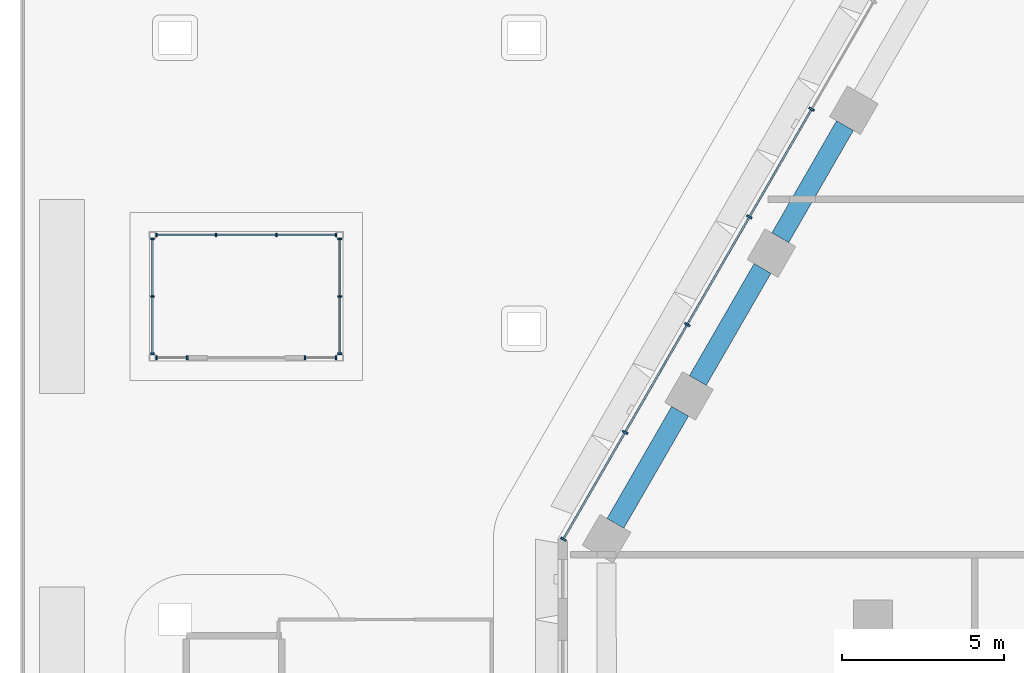
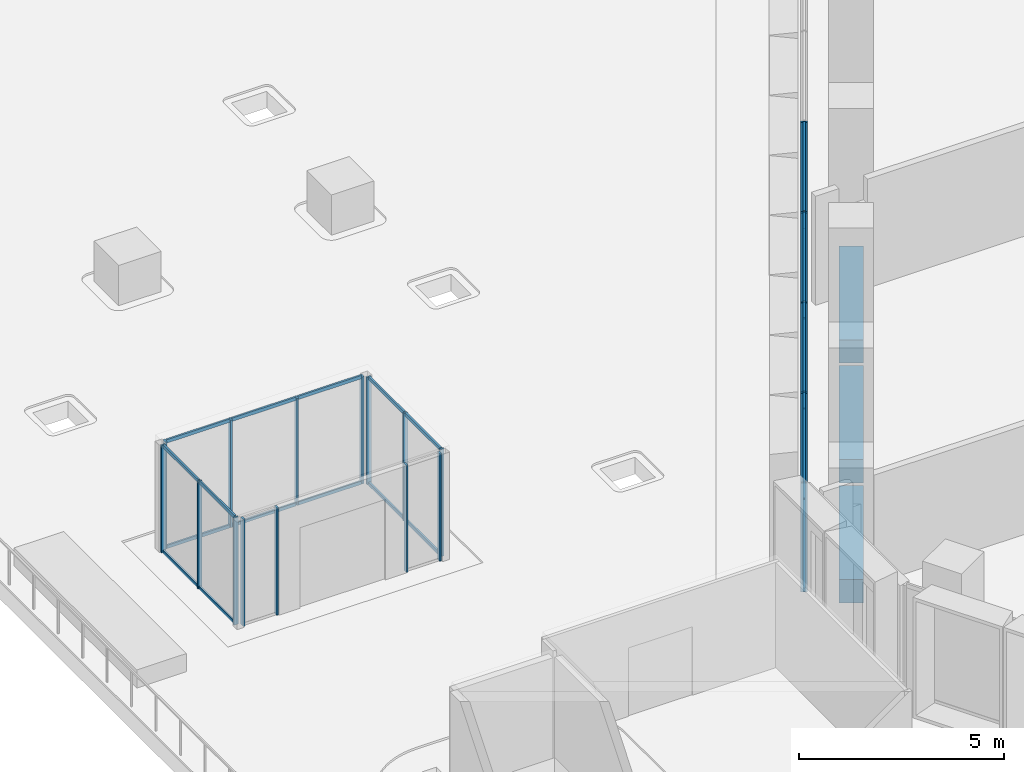
# One storey, part 8 of 38: 41 members, 3 beams, 6 elements without a shape of their own.
"""IFC4 building model written with IfcOpenShell, lengths in metres."""

import ifcopenshell
import ifcopenshell.guid

model = None  # the IFC model being written
_history = None  # IfcOwnerHistory: only IFC2X3 demands one
_inside = {}  # id of a spatial element -> (the spatial element, [elements in it])
_under = {}  # id of a project, library or spatial element -> (it, [spatial elements below it])
_declared = {}  # id of a project -> (the project, [libraries it declares])
_typed = {}  # id of a type object -> (the type object, [elements of that type])
_made_of = {}  # id of a material, layer set ... -> (it, [elements and type objects made of it])


def new_model(schema):
    """Start an empty IFC model of exactly this schema.

    Asked for "IFC4X3", IfcOpenShell would pick the latest addendum, in which some entities
    have other attributes; the version numbers below select the first issue.
    IFC2X3 requires an IfcOwnerHistory on every rooted entity: one is made here for all.
    """
    global model, _history
    if schema == "IFC4X3":
        model = ifcopenshell.file(schema_version=(4, 3, 0, 0))
    else:
        model = ifcopenshell.file(schema=schema)
    _inside.clear()
    _under.clear()
    _declared.clear()
    _typed.clear()
    _made_of.clear()
    _history = None
    if model.schema == "IFC2X3":
        org = make("IfcOrganization", Name="unknown")
        user = make(
            "IfcPersonAndOrganization",
            ThePerson=make("IfcPerson", FamilyName="unknown"),
            TheOrganization=org,
        )
        app = make(
            "IfcApplication",
            ApplicationDeveloper=org,
            Version="unknown",
            ApplicationFullName="unknown",
            ApplicationIdentifier="unknown",
        )
        _history = make(
            "IfcOwnerHistory",
            OwningUser=user,
            OwningApplication=app,
            ChangeAction="ADDED",
            CreationDate=0,
        )
    return model


def make(cls, **values):
    """One entity of the class cls with the attributes given. An attribute that is None is left unset."""
    return model.create_entity(
        cls, **{name: value for name, value in values.items() if value is not None}
    )


def rooted(cls, **values):
    """An entity with a GlobalId (a new one), such as an element, a storey or a relation."""
    return make(cls, GlobalId=ifcopenshell.guid.new(), OwnerHistory=_history, **values)


def si_unit(unit_type, name, prefix=None):
    """IfcSIUnit, for example si_unit("LENGTHUNIT", "METRE", prefix="MILLI")."""
    return make("IfcSIUnit", UnitType=unit_type, Prefix=prefix, Name=name)


def assignment(units):
    """IfcUnitAssignment: the units of a project."""
    return None if units is None else make("IfcUnitAssignment", Units=units)


def point(xyz):
    """IfcCartesianPoint."""
    return None if xyz is None else make("IfcCartesianPoint", Coordinates=xyz)


def direction(xyz):
    """IfcDirection."""
    return None if xyz is None else make("IfcDirection", DirectionRatios=xyz)


def frame(location, z_axis=None, x_axis=None):
    """IfcAxis2Placement3D, a coordinate frame: its origin and axes. An axis left out is left unset."""
    return make(
        "IfcAxis2Placement3D",
        Location=point(location),
        Axis=direction(z_axis),
        RefDirection=direction(x_axis),
    )


def frame_2d(location, x_axis=None):
    """IfcAxis2Placement2D, a coordinate frame in the plane: its origin and x axis."""
    return make(
        "IfcAxis2Placement2D", Location=point(location), RefDirection=direction(x_axis)
    )


def origin():
    """The frame at (0, 0, 0) with its axes left unset."""
    return frame((0.0, 0.0, 0.0))


def origin_2d():
    """The frame at (0, 0) in the plane with its x axis left unset."""
    return frame_2d((0.0, 0.0))


def place(relative_to, where):
    """IfcLocalPlacement: puts the frame where relative to a parent placement (None: the world)."""
    return make(
        "IfcLocalPlacement", PlacementRelTo=relative_to, RelativePlacement=where
    )


def context(
    kind, dimensions, precision=None, world=None, true_north=None, identifier=None
):
    """IfcGeometricRepresentationContext, for example the 3D "Model" context."""
    return make(
        "IfcGeometricRepresentationContext",
        ContextIdentifier=identifier,
        ContextType=kind,
        CoordinateSpaceDimension=dimensions,
        Precision=precision,
        WorldCoordinateSystem=world,
        TrueNorth=true_north,
    )


def subcontext(parent, identifier, kind, view, scale=None):
    """IfcGeometricRepresentationSubContext, for example "Body" below "Model"."""
    return make(
        "IfcGeometricRepresentationSubContext",
        ContextIdentifier=identifier,
        ContextType=kind,
        ParentContext=parent,
        TargetScale=scale,
        TargetView=view,
    )


def project(units=None, contexts=None):
    """IfcProject with its units and contexts."""
    return rooted(
        "IfcProject",
        Name="project",
        RepresentationContexts=contexts,
        UnitsInContext=assignment(units),
    )


def spatial(cls, under=None, at=None, **own):
    """A site, building, storey or space (cls), placed at a placement, below another one or the project."""
    s = rooted(cls, ObjectPlacement=at, **own)
    if under is not None:
        _under.setdefault(under.id(), (under, []))[1].append(s)
    return s


def profile(cls, at=None, kind="AREA", **sizes):
    """A parametric profile (cls). Its sizes go by their IFC names, for example OverallWidth=200.0."""
    return make(cls, ProfileType=kind, Position=at, **sizes)


def rectangle(**sizes):
    """IfcRectangleProfileDef."""
    return profile("IfcRectangleProfileDef", **sizes)


def hollow_rectangle(**sizes):
    """IfcRectangleHollowProfileDef."""
    return profile("IfcRectangleHollowProfileDef", **sizes)


def extrude(swept, where, along, depth):
    """IfcExtrudedAreaSolid: the profile swept, set in the frame where, extruded along a direction by depth."""
    return make(
        "IfcExtrudedAreaSolid",
        SweptArea=swept,
        Position=where,
        ExtrudedDirection=direction(along),
        Depth=depth,
    )


def shape(context_of_items, identifier, shape_type, items):
    """IfcShapeRepresentation: the items that make up one representation, for example the "Body"."""
    return make(
        "IfcShapeRepresentation",
        ContextOfItems=context_of_items,
        RepresentationIdentifier=identifier,
        RepresentationType=shape_type,
        Items=items,
    )


def material(Name=None, Category=None):
    """IfcMaterial."""
    return make("IfcMaterial", Name=Name, Category=Category)


def material_profile(
    of_material, cross_section, Name=None, Category=None, Priority=None
):
    """IfcMaterialProfile: a cross section and its material."""
    return make(
        "IfcMaterialProfile",
        Name=Name,
        Material=of_material,
        Profile=cross_section,
        Priority=Priority,
        Category=Category,
    )


def profile_set(profiles, Name=None, composite=None):
    """IfcMaterialProfileSet."""
    return make(
        "IfcMaterialProfileSet",
        Name=Name,
        MaterialProfiles=profiles,
        CompositeProfile=composite,
    )


def made_of(thing, what):
    """Note that an element or type object is made of a material, layer set ...; save() writes the relation."""
    if what is not None:
        _made_of.setdefault(what.id(), (what, []))[1].append(thing)
    return thing


def type_object(cls, material=None, **own):
    """A type object (cls), such as IfcWallType, which elements share."""
    return made_of(rooted(cls, **own), material)


def element(
    cls,
    number,
    at=None,
    inside=None,
    cuts=None,
    type_object=None,
    material=None,
    context=None,
    identifier="Body",
    shape_type=None,
    held_by="IfcProductDefinitionShape",
    body=None,
    shapes=None,
    **own,
):
    """One element of the class cls, such as IfcWall. Its Tag is "e" and its number.

    at: its placement. inside: the storey or other place that contains it. cuts: it is an
    opening in that element (IfcRelVoidsElement). A single representation is given by context,
    identifier, shape_type and body (its items); several are given by shapes. held_by: the class
    of the entity that holds the representations. save() writes the other relations.
    """
    e = rooted(cls, Tag="e%d" % number, ObjectPlacement=at, **own)
    if body is not None:
        shapes = [shape(context, identifier, shape_type, body)]
    if shapes is not None:
        e.Representation = make(held_by, Representations=shapes)
    if inside is not None:
        _inside.setdefault(inside.id(), (inside, []))[1].append(e)
    if cuts is not None:
        rooted(
            "IfcRelVoidsElement", RelatingBuildingElement=cuts, RelatedOpeningElement=e
        )
    if type_object is not None:
        _typed.setdefault(type_object.id(), (type_object, []))[1].append(e)
    return made_of(e, material)


def aggregate(whole, parts):
    """IfcRelAggregates: a whole, such as a stair, and the parts it consists of."""
    return rooted("IfcRelAggregates", RelatingObject=whole, RelatedObjects=parts)


def save(model, path):
    """Write the relations noted so far, then the file.

    IfcRelAggregates (storeys below a building ...), IfcRelContainedInSpatialStructure (elements
    in a storey), IfcRelDefinesByType, IfcRelAssociatesMaterial and IfcRelDeclares: one each for
    every whole, place, type object, material and project.
    """
    for whole, parts in _under.values():
        aggregate(whole, parts)
    for where, things in _inside.values():
        rooted(
            "IfcRelContainedInSpatialStructure",
            RelatedElements=things,
            RelatingStructure=where,
        )
    for kind, things in _typed.values():
        rooted("IfcRelDefinesByType", RelatedObjects=things, RelatingType=kind)
    for what, things in _made_of.values():
        rooted("IfcRelAssociatesMaterial", RelatedObjects=things, RelatingMaterial=what)
    for by, libraries in _declared.values():
        rooted("IfcRelDeclares", RelatingContext=by, RelatedDefinitions=libraries)
    model.write(path)


model = new_model("IFC4")

# Units and contexts
model_context = context("Model", 3, precision=1e-05, world=origin(), true_north=direction((0.0, 1.0)))
body_context = subcontext(model_context, "Body", "Model", "MODEL_VIEW")
ifc_project = project(units=[si_unit("LENGTHUNIT", "METRE"), si_unit("AREAUNIT", "SQUARE_METRE"), si_unit("VOLUMEUNIT", "CUBIC_METRE"), si_unit("PLANEANGLEUNIT", "RADIAN"), si_unit("MASSUNIT", "GRAM", prefix="KILO")], contexts=[model_context])

# Site, building, storey
site_placement = place(None, origin())
site = spatial("IfcSite", under=ifc_project, at=site_placement, CompositionType="ELEMENT")
building_placement = place(site_placement, origin())
building = spatial("IfcBuilding", under=site, at=building_placement, Name="Beryl Residences", CompositionType="ELEMENT")
storey_placement = place(building_placement, frame((0.0, 0.0, 9.0)))
storey = spatial("IfcBuildingStorey", under=building, at=storey_placement, Name="L02", CompositionType="ELEMENT", Elevation=9.0)

# Curtain wall, members
ifc_material_1 = material(Name="Aluminium and clear glass", Category="aluminium")
curtain_wall_type_1 = type_object("IfcCurtainWallType", Name="CW2 amenity glazing glazed wall", PredefinedType="NOTDEFINED", material=ifc_material_1)
curtain_wall_1_placement = place(storey_placement, origin())
curtain_wall_1 = element("IfcCurtainWall", 1, at=curtain_wall_1_placement, inside=storey, type_object=curtain_wall_type_1, Name="CW2 L02 NW", PredefinedType="NOTDEFINED")
ifc_material_2 = material(Name="Aluminium", Category="aluminium")
ifc_material_profile_1 = material_profile(ifc_material_2, rectangle(XDim=0.06005859375, YDim=0.179931640625, at=origin_2d()))
ifc_profile_set_1 = profile_set([ifc_material_profile_1], Name="Aluminium")
member_type_1 = type_object("IfcMemberType", Name="CW2-M mullion 60 x 180 mm", PredefinedType="MULLION", material=ifc_profile_set_1)
member_1_placement = place(storey_placement, frame((-23.5029296875, 15.79150390625, 0.0), z_axis=(0.0, 0.0, 1.0), x_axis=(-0.500011643322, -0.866018681405, 0.0)))
member_1 = element("IfcMember", 2, at=member_1_placement, type_object=member_type_1, Name="CW2 mullion 4", PredefinedType="MULLION", context=body_context, shape_type="SweptSolid", body=[
    extrude(rectangle(XDim=0.06005859375, YDim=0.179931640625, at=origin_2d()), origin(), (0.0, 0.0, 1.0), 3.25),
])
member_2_placement = place(storey_placement, frame((-25.42724609375, 12.45849609375, 0.0), z_axis=(0.0, 0.0, 1.0), x_axis=(-0.500011643322, -0.866018681405, 0.0)))
member_2 = element("IfcMember", 3, at=member_2_placement, type_object=member_type_1, Name="CW2 mullion 5", PredefinedType="MULLION", context=body_context, shape_type="SweptSolid", body=[
    extrude(rectangle(XDim=0.06005859375, YDim=0.179931640625, at=origin_2d()), origin(), (0.0, 0.0, 1.0), 3.25),
])
member_3_placement = place(storey_placement, frame((-27.351318359375, 9.125732421875, 0.0), z_axis=(0.0, 0.0, 1.0), x_axis=(-0.500011643322, -0.866018681405, 0.0)))
member_3 = element("IfcMember", 4, at=member_3_placement, type_object=member_type_1, Name="CW2 mullion 6", PredefinedType="MULLION", context=body_context, shape_type="SweptSolid", body=[
    extrude(rectangle(XDim=0.06005859375, YDim=0.179931640625, at=origin_2d()), origin(), (0.0, 0.0, 1.0), 3.25),
])
member_4_placement = place(storey_placement, frame((-29.275634765625, 5.79296875, 0.0), z_axis=(0.0, 0.0, 1.0), x_axis=(-0.500011643322, -0.866018681405, 0.0)))
member_4 = element("IfcMember", 5, at=member_4_placement, type_object=member_type_1, Name="CW2 mullion 7", PredefinedType="MULLION", context=body_context, shape_type="SweptSolid", body=[
    extrude(rectangle(XDim=0.06005859375, YDim=0.179931640625, at=origin_2d()), origin(), (0.0, 0.0, 1.0), 3.25),
])
member_5_placement = place(storey_placement, frame((-31.18505859375, 2.486083984375, 0.0), z_axis=(0.0, 0.0, 1.0), x_axis=(-0.500011643322, -0.866018681405, 0.0)))
member_5 = element("IfcMember", 6, at=member_5_placement, type_object=member_type_1, Name="CW2 mullion 8", PredefinedType="MULLION", context=body_context, shape_type="SweptSolid", body=[
    extrude(rectangle(XDim=0.06005859375, YDim=0.179931640625, at=origin_2d()), origin(), (0.0, 0.0, 1.0), 3.25),
])
ifc_material_3 = material(Name="Aluminium", Category="aluminium")
ifc_material_profile_2 = material_profile(ifc_material_3, hollow_rectangle(XDim=0.06005859375, YDim=0.1201171875, WallThickness=0.00390625, at=origin_2d()))
ifc_profile_set_2 = profile_set([ifc_material_profile_2], Name="Aluminium")
member_type_2 = type_object("IfcMemberType", Name="CW2-T transom 60 x 120 mm", PredefinedType="USERDEFINED", material=ifc_profile_set_2)
member_6_placement = place(storey_placement, frame((-23.517822265625, 15.765380859375, 0.030029296875), z_axis=(-0.500027408906, -0.866009578667, 0.0), x_axis=(0.866009578667, -0.500027408906, 0.0)))
member_6 = element("IfcMember", 7, at=member_6_placement, type_object=member_type_2, Name="CW2 transom 4.1", ObjectType="TRANSOM", PredefinedType="USERDEFINED", context=body_context, shape_type="SweptSolid", body=[
    extrude(hollow_rectangle(XDim=0.06005859375, YDim=0.1201171875, WallThickness=0.00390625, at=origin_2d()), origin(), (0.0, 0.0, 1.0), 3.788330078125),
])
member_7_placement = place(storey_placement, frame((-23.517822265625, 15.765380859375, 3.219970703125), z_axis=(-0.500027408906, -0.866009578667, 0.0), x_axis=(0.866009578667, -0.500027408906, 0.0)))
member_7 = element("IfcMember", 8, at=member_7_placement, type_object=member_type_2, Name="CW2 transom 4.2", ObjectType="TRANSOM", PredefinedType="USERDEFINED", context=body_context, shape_type="SweptSolid", body=[
    extrude(hollow_rectangle(XDim=0.06005859375, YDim=0.1201171875, WallThickness=0.00390625, at=origin_2d()), origin(), (0.0, 0.0, 1.0), 3.788330078125),
])
member_8_placement = place(storey_placement, frame((-25.442138671875, 12.4326171875, 0.030029296875), z_axis=(-0.499999503755, -0.866025690291, 0.0), x_axis=(0.866025690291, -0.499999503755, 0.0)))
member_8 = element("IfcMember", 9, at=member_8_placement, type_object=member_type_2, Name="CW2 transom 5.1", ObjectType="TRANSOM", PredefinedType="USERDEFINED", context=body_context, shape_type="SweptSolid", body=[
    extrude(hollow_rectangle(XDim=0.06005859375, YDim=0.1201171875, WallThickness=0.00390625, at=origin_2d()), origin(), (0.0, 0.0, 1.0), 3.78857421875),
])
member_9_placement = place(storey_placement, frame((-25.442138671875, 12.4326171875, 3.219970703125), z_axis=(-0.499999503755, -0.866025690291, 0.0), x_axis=(0.866025690291, -0.499999503755, 0.0)))
member_9 = element("IfcMember", 10, at=member_9_placement, type_object=member_type_2, Name="CW2 transom 5.2", ObjectType="TRANSOM", PredefinedType="USERDEFINED", context=body_context, shape_type="SweptSolid", body=[
    extrude(hollow_rectangle(XDim=0.06005859375, YDim=0.1201171875, WallThickness=0.00390625, at=origin_2d()), origin(), (0.0, 0.0, 1.0), 3.78857421875),
])
member_10_placement = place(storey_placement, frame((-27.366455078125, 9.099853515625, 0.030029296875), z_axis=(-0.499999503755, -0.866025690291, 0.0), x_axis=(0.866025690291, -0.499999503755, 0.0)))
member_10 = element("IfcMember", 11, at=member_10_placement, type_object=member_type_2, Name="CW2 transom 6.1", ObjectType="TRANSOM", PredefinedType="USERDEFINED", context=body_context, shape_type="SweptSolid", body=[
    extrude(hollow_rectangle(XDim=0.06005859375, YDim=0.1201171875, WallThickness=0.00390625, at=origin_2d()), origin(), (0.0, 0.0, 1.0), 3.78857421875),
])
member_11_placement = place(storey_placement, frame((-27.366455078125, 9.099853515625, 3.219970703125), z_axis=(-0.499999503755, -0.866025690291, 0.0), x_axis=(0.866025690291, -0.499999503755, 0.0)))
member_11 = element("IfcMember", 12, at=member_11_placement, type_object=member_type_2, Name="CW2 transom 6.2", ObjectType="TRANSOM", PredefinedType="USERDEFINED", context=body_context, shape_type="SweptSolid", body=[
    extrude(hollow_rectangle(XDim=0.06005859375, YDim=0.1201171875, WallThickness=0.00390625, at=origin_2d()), origin(), (0.0, 0.0, 1.0), 3.78857421875),
])
member_12_placement = place(storey_placement, frame((-29.290771484375, 5.766845703125, 0.030029296875), z_axis=(-0.499988609959, -0.866031979728, 0.0), x_axis=(0.866031979728, -0.499988609959, 0.0)))
member_12 = element("IfcMember", 13, at=member_12_placement, type_object=member_type_2, Name="CW2 transom 7.1", ObjectType="TRANSOM", PredefinedType="USERDEFINED", context=body_context, shape_type="SweptSolid", body=[
    extrude(hollow_rectangle(XDim=0.06005859375, YDim=0.1201171875, WallThickness=0.00390625, at=origin_2d()), origin(), (0.0, 0.0, 1.0), 3.75830078125),
])
member_13_placement = place(storey_placement, frame((-29.290771484375, 5.766845703125, 3.219970703125), z_axis=(-0.499988609959, -0.866031979728, 0.0), x_axis=(0.866031979728, -0.499988609959, 0.0)))
member_13 = element("IfcMember", 14, at=member_13_placement, type_object=member_type_2, Name="CW2 transom 7.2", ObjectType="TRANSOM", PredefinedType="USERDEFINED", context=body_context, shape_type="SweptSolid", body=[
    extrude(hollow_rectangle(XDim=0.06005859375, YDim=0.1201171875, WallThickness=0.00390625, at=origin_2d()), origin(), (0.0, 0.0, 1.0), 3.75830078125),
])
aggregate(curtain_wall_1, [member_1, member_2, member_3, member_4, member_5, member_6, member_7, member_8, member_9, member_10, member_11, member_12, member_13])

ifc_material_4 = material(Name="Aluminium and clear glass", Category="aluminium")
curtain_wall_type_2 = type_object("IfcCurtainWallType", Name="CW6 garden pavilion glazing glazed wall", PredefinedType="NOTDEFINED", material=ifc_material_4)
curtain_wall_2_placement = place(storey_placement, origin())
curtain_wall_2 = element("IfcCurtainWall", 15, at=curtain_wall_2_placement, inside=storey, type_object=curtain_wall_type_2, Name="CW6 pavilion 1 s0", PredefinedType="NOTDEFINED")
ifc_material_5 = material(Name="Aluminium", Category="aluminium")
ifc_material_profile_3 = material_profile(ifc_material_5, rectangle(XDim=0.050048828125, YDim=0.1201171875, at=origin_2d()))
ifc_profile_set_3 = profile_set([ifc_material_profile_3], Name="Aluminium")
member_type_3 = type_object("IfcMemberType", Name="CW6-M mullion 50 x 120 mm", PredefinedType="MULLION", material=ifc_profile_set_3)
member_14_placement = place(storey_placement, frame((-43.77490234375, 8.10009765625, 0.0), z_axis=(0.0, 0.0, 1.0), x_axis=(1.0, 0.0, 0.0)))
member_14 = element("IfcMember", 16, at=member_14_placement, type_object=member_type_3, Name="CW6 mullion 1", PredefinedType="MULLION", context=body_context, shape_type="SweptSolid", body=[
    extrude(rectangle(XDim=0.050048828125, YDim=0.1201171875, at=origin_2d()), origin(), (0.0, 0.0, 1.0), 3.199951171875),
])
member_15_placement = place(storey_placement, frame((-42.824951171875, 8.10009765625, 0.0), z_axis=(0.0, 0.0, 1.0), x_axis=(1.0, 0.0, 0.0)))
member_15 = element("IfcMember", 17, at=member_15_placement, type_object=member_type_3, Name="CW6 mullion 2", PredefinedType="MULLION", context=body_context, shape_type="SweptSolid", body=[
    extrude(rectangle(XDim=0.050048828125, YDim=0.1201171875, at=origin_2d()), origin(), (0.0, 0.0, 1.0), 3.199951171875),
])
aggregate(curtain_wall_2, [member_14, member_15])

curtain_wall_3_placement = place(storey_placement, origin())
curtain_wall_3 = element("IfcCurtainWall", 18, at=curtain_wall_3_placement, inside=storey, type_object=curtain_wall_type_2, Name="CW6 pavilion 1 s2", PredefinedType="NOTDEFINED")
member_16_placement = place(storey_placement, frame((-39.175048828125, 8.10009765625, 0.0), z_axis=(0.0, 0.0, 1.0), x_axis=(1.0, 0.0, 0.0)))
member_16 = element("IfcMember", 19, at=member_16_placement, type_object=member_type_3, Name="CW6 mullion 1", PredefinedType="MULLION", context=body_context, shape_type="SweptSolid", body=[
    extrude(rectangle(XDim=0.050048828125, YDim=0.1201171875, at=origin_2d()), origin(), (0.0, 0.0, 1.0), 3.199951171875),
])
member_17_placement = place(storey_placement, frame((-38.22509765625, 8.10009765625, 0.0), z_axis=(0.0, 0.0, 1.0), x_axis=(1.0, 0.0, 0.0)))
member_17 = element("IfcMember", 20, at=member_17_placement, type_object=member_type_3, Name="CW6 mullion 2", PredefinedType="MULLION", context=body_context, shape_type="SweptSolid", body=[
    extrude(rectangle(XDim=0.050048828125, YDim=0.1201171875, at=origin_2d()), origin(), (0.0, 0.0, 1.0), 3.199951171875),
])
aggregate(curtain_wall_3, [member_16, member_17])

curtain_wall_4_placement = place(storey_placement, origin())
curtain_wall_4 = element("IfcCurtainWall", 21, at=curtain_wall_4_placement, inside=storey, type_object=curtain_wall_type_2, Name="CW6 pavilion 1 e", PredefinedType="NOTDEFINED")
member_18_placement = place(storey_placement, frame((-38.10009765625, 8.22509765625, 0.0), z_axis=(0.0, 0.0, 1.0), x_axis=(0.0, 1.0, 0.0)))
member_18 = element("IfcMember", 22, at=member_18_placement, type_object=member_type_3, Name="CW6 mullion 1", PredefinedType="MULLION", context=body_context, shape_type="SweptSolid", body=[
    extrude(rectangle(XDim=0.050048828125, YDim=0.1201171875, at=origin_2d()), origin(), (0.0, 0.0, 1.0), 3.199951171875),
])
member_19_placement = place(storey_placement, frame((-38.10009765625, 10.0, 0.0), z_axis=(0.0, 0.0, 1.0), x_axis=(0.0, 1.0, 0.0)))
member_19 = element("IfcMember", 23, at=member_19_placement, type_object=member_type_3, Name="CW6 mullion 2", PredefinedType="MULLION", context=body_context, shape_type="SweptSolid", body=[
    extrude(rectangle(XDim=0.050048828125, YDim=0.1201171875, at=origin_2d()), origin(), (0.0, 0.0, 1.0), 3.199951171875),
])
member_20_placement = place(storey_placement, frame((-38.10009765625, 11.77490234375, 0.0), z_axis=(0.0, 0.0, 1.0), x_axis=(0.0, 1.0, 0.0)))
member_20 = element("IfcMember", 24, at=member_20_placement, type_object=member_type_3, Name="CW6 mullion 3", PredefinedType="MULLION", context=body_context, shape_type="SweptSolid", body=[
    extrude(rectangle(XDim=0.050048828125, YDim=0.1201171875, at=origin_2d()), origin(), (0.0, 0.0, 1.0), 3.199951171875),
])

curtain_wall_5_placement = place(storey_placement, origin())
curtain_wall_5 = element("IfcCurtainWall", 25, at=curtain_wall_5_placement, inside=storey, type_object=curtain_wall_type_2, Name="CW6 pavilion 1 n", PredefinedType="NOTDEFINED")
member_21_placement = place(storey_placement, frame((-38.22509765625, 11.89990234375, 0.0), z_axis=(0.0, 0.0, 1.0), x_axis=(-1.0, 0.0, 0.0)))
member_21 = element("IfcMember", 26, at=member_21_placement, type_object=member_type_3, Name="CW6 mullion 1", PredefinedType="MULLION", context=body_context, shape_type="SweptSolid", body=[
    extrude(rectangle(XDim=0.050048828125, YDim=0.1201171875, at=origin_2d()), origin(), (0.0, 0.0, 1.0), 3.199951171875),
])
member_22_placement = place(storey_placement, frame((-40.066650390625, 11.89990234375, 0.0), z_axis=(0.0, 0.0, 1.0), x_axis=(-1.0, 0.0, 0.0)))
member_22 = element("IfcMember", 27, at=member_22_placement, type_object=member_type_3, Name="CW6 mullion 2", PredefinedType="MULLION", context=body_context, shape_type="SweptSolid", body=[
    extrude(rectangle(XDim=0.050048828125, YDim=0.1201171875, at=origin_2d()), origin(), (0.0, 0.0, 1.0), 3.199951171875),
])
member_23_placement = place(storey_placement, frame((-41.933349609375, 11.89990234375, 0.0), z_axis=(0.0, 0.0, 1.0), x_axis=(-1.0, 0.0, 0.0)))
member_23 = element("IfcMember", 28, at=member_23_placement, type_object=member_type_3, Name="CW6 mullion 3", PredefinedType="MULLION", context=body_context, shape_type="SweptSolid", body=[
    extrude(rectangle(XDim=0.050048828125, YDim=0.1201171875, at=origin_2d()), origin(), (0.0, 0.0, 1.0), 3.199951171875),
])
member_24_placement = place(storey_placement, frame((-43.77490234375, 11.89990234375, 0.0), z_axis=(0.0, 0.0, 1.0), x_axis=(-1.0, 0.0, 0.0)))
member_24 = element("IfcMember", 29, at=member_24_placement, type_object=member_type_3, Name="CW6 mullion 4", PredefinedType="MULLION", context=body_context, shape_type="SweptSolid", body=[
    extrude(rectangle(XDim=0.050048828125, YDim=0.1201171875, at=origin_2d()), origin(), (0.0, 0.0, 1.0), 3.199951171875),
])

curtain_wall_6_placement = place(storey_placement, origin())
curtain_wall_6 = element("IfcCurtainWall", 30, at=curtain_wall_6_placement, inside=storey, type_object=curtain_wall_type_2, Name="CW6 pavilion 1 w", PredefinedType="NOTDEFINED")
member_25_placement = place(storey_placement, frame((-43.89990234375, 11.77490234375, 0.0), z_axis=(0.0, 0.0, 1.0), x_axis=(0.0, -1.0, 0.0)))
member_25 = element("IfcMember", 31, at=member_25_placement, type_object=member_type_3, Name="CW6 mullion 1", PredefinedType="MULLION", context=body_context, shape_type="SweptSolid", body=[
    extrude(rectangle(XDim=0.050048828125, YDim=0.1201171875, at=origin_2d()), origin(), (0.0, 0.0, 1.0), 3.199951171875),
])
member_26_placement = place(storey_placement, frame((-43.89990234375, 10.0, 0.0), z_axis=(0.0, 0.0, 1.0), x_axis=(0.0, -1.0, 0.0)))
member_26 = element("IfcMember", 32, at=member_26_placement, type_object=member_type_3, Name="CW6 mullion 2", PredefinedType="MULLION", context=body_context, shape_type="SweptSolid", body=[
    extrude(rectangle(XDim=0.050048828125, YDim=0.1201171875, at=origin_2d()), origin(), (0.0, 0.0, 1.0), 3.199951171875),
])
member_27_placement = place(storey_placement, frame((-43.89990234375, 8.22509765625, 0.0), z_axis=(0.0, 0.0, 1.0), x_axis=(0.0, -1.0, 0.0)))
member_27 = element("IfcMember", 33, at=member_27_placement, type_object=member_type_3, Name="CW6 mullion 3", PredefinedType="MULLION", context=body_context, shape_type="SweptSolid", body=[
    extrude(rectangle(XDim=0.050048828125, YDim=0.1201171875, at=origin_2d()), origin(), (0.0, 0.0, 1.0), 3.199951171875),
])

# Member
ifc_material_6 = material(Name="Aluminium", Category="aluminium")
ifc_material_profile_4 = material_profile(ifc_material_6, hollow_rectangle(XDim=0.050048828125, YDim=0.10009765625, WallThickness=0.00390625, at=origin_2d()))
ifc_profile_set_4 = profile_set([ifc_material_profile_4], Name="Aluminium")
member_type_4 = type_object("IfcMemberType", Name="CW6-T transom 50 x 100 mm", PredefinedType="USERDEFINED", material=ifc_profile_set_4)
member_28_placement = place(storey_placement, frame((-38.10009765625, 8.25, 0.02490234375), z_axis=(0.0, 1.0, 0.0), x_axis=(-1.0, 0.0, 0.0)))
member_28 = element("IfcMember", 34, at=member_28_placement, type_object=member_type_4, Name="CW6 transom 1.1", ObjectType="TRANSOM", PredefinedType="USERDEFINED", context=body_context, shape_type="SweptSolid", body=[
    extrude(hollow_rectangle(XDim=0.050048828125, YDim=0.10009765625, WallThickness=0.00390625, at=origin_2d()), origin(), (0.0, 0.0, 1.0), 1.72509765625),
])

member_29_placement = place(storey_placement, frame((-38.10009765625, 8.25, 3.175048828125), z_axis=(0.0, 1.0, 0.0), x_axis=(-1.0, 0.0, 0.0)))
member_29 = element("IfcMember", 35, at=member_29_placement, type_object=member_type_4, Name="CW6 transom 1.2", ObjectType="TRANSOM", PredefinedType="USERDEFINED", context=body_context, shape_type="SweptSolid", body=[
    extrude(hollow_rectangle(XDim=0.050048828125, YDim=0.10009765625, WallThickness=0.00390625, at=origin_2d()), origin(), (0.0, 0.0, 1.0), 1.72509765625),
])

member_30_placement = place(storey_placement, frame((-38.10009765625, 10.02490234375, 0.02490234375), z_axis=(0.0, 1.0, 0.0), x_axis=(-1.0, 0.0, 0.0)))
member_30 = element("IfcMember", 36, at=member_30_placement, type_object=member_type_4, Name="CW6 transom 2.1", ObjectType="TRANSOM", PredefinedType="USERDEFINED", context=body_context, shape_type="SweptSolid", body=[
    extrude(hollow_rectangle(XDim=0.050048828125, YDim=0.10009765625, WallThickness=0.00390625, at=origin_2d()), origin(), (0.0, 0.0, 1.0), 1.72509765625),
])

member_31_placement = place(storey_placement, frame((-38.10009765625, 10.02490234375, 3.175048828125), z_axis=(0.0, 1.0, 0.0), x_axis=(-1.0, 0.0, 0.0)))
member_31 = element("IfcMember", 37, at=member_31_placement, type_object=member_type_4, Name="CW6 transom 2.2", ObjectType="TRANSOM", PredefinedType="USERDEFINED", context=body_context, shape_type="SweptSolid", body=[
    extrude(hollow_rectangle(XDim=0.050048828125, YDim=0.10009765625, WallThickness=0.00390625, at=origin_2d()), origin(), (0.0, 0.0, 1.0), 1.72509765625),
])

aggregate(curtain_wall_4, [member_18, member_19, member_20, member_28, member_29, member_30, member_31])

member_32_placement = place(storey_placement, frame((-38.25, 11.89990234375, 0.02490234375), z_axis=(-1.0, 0.0, 0.0), x_axis=(0.0, -1.0, 0.0)))
member_32 = element("IfcMember", 38, at=member_32_placement, type_object=member_type_4, Name="CW6 transom 1.1", ObjectType="TRANSOM", PredefinedType="USERDEFINED", context=body_context, shape_type="SweptSolid", body=[
    extrude(hollow_rectangle(XDim=0.050048828125, YDim=0.10009765625, WallThickness=0.00390625, at=origin_2d()), origin(), (0.0, 0.0, 1.0), 1.791748046875),
])

member_33_placement = place(storey_placement, frame((-38.25, 11.89990234375, 3.175048828125), z_axis=(-1.0, 0.0, 0.0), x_axis=(0.0, -1.0, 0.0)))
member_33 = element("IfcMember", 39, at=member_33_placement, type_object=member_type_4, Name="CW6 transom 1.2", ObjectType="TRANSOM", PredefinedType="USERDEFINED", context=body_context, shape_type="SweptSolid", body=[
    extrude(hollow_rectangle(XDim=0.050048828125, YDim=0.10009765625, WallThickness=0.00390625, at=origin_2d()), origin(), (0.0, 0.0, 1.0), 1.791748046875),
])

member_34_placement = place(storey_placement, frame((-40.091552734375, 11.89990234375, 0.02490234375), z_axis=(-1.0, 0.0, 0.0), x_axis=(0.0, -1.0, 0.0)))
member_34 = element("IfcMember", 40, at=member_34_placement, type_object=member_type_4, Name="CW6 transom 2.1", ObjectType="TRANSOM", PredefinedType="USERDEFINED", context=body_context, shape_type="SweptSolid", body=[
    extrude(hollow_rectangle(XDim=0.050048828125, YDim=0.10009765625, WallThickness=0.00390625, at=origin_2d()), origin(), (0.0, 0.0, 1.0), 1.81689453125),
])

member_35_placement = place(storey_placement, frame((-40.091552734375, 11.89990234375, 3.175048828125), z_axis=(-1.0, 0.0, 0.0), x_axis=(0.0, -1.0, 0.0)))
member_35 = element("IfcMember", 41, at=member_35_placement, type_object=member_type_4, Name="CW6 transom 2.2", ObjectType="TRANSOM", PredefinedType="USERDEFINED", context=body_context, shape_type="SweptSolid", body=[
    extrude(hollow_rectangle(XDim=0.050048828125, YDim=0.10009765625, WallThickness=0.00390625, at=origin_2d()), origin(), (0.0, 0.0, 1.0), 1.81689453125),
])

member_36_placement = place(storey_placement, frame((-41.958251953125, 11.89990234375, 0.02490234375), z_axis=(-1.0, 0.0, 0.0), x_axis=(0.0, -1.0, 0.0)))
member_36 = element("IfcMember", 42, at=member_36_placement, type_object=member_type_4, Name="CW6 transom 3.1", ObjectType="TRANSOM", PredefinedType="USERDEFINED", context=body_context, shape_type="SweptSolid", body=[
    extrude(hollow_rectangle(XDim=0.050048828125, YDim=0.10009765625, WallThickness=0.00390625, at=origin_2d()), origin(), (0.0, 0.0, 1.0), 1.791748046875),
])

member_37_placement = place(storey_placement, frame((-41.958251953125, 11.89990234375, 3.175048828125), z_axis=(-1.0, 0.0, 0.0), x_axis=(0.0, -1.0, 0.0)))
member_37 = element("IfcMember", 43, at=member_37_placement, type_object=member_type_4, Name="CW6 transom 3.2", ObjectType="TRANSOM", PredefinedType="USERDEFINED", context=body_context, shape_type="SweptSolid", body=[
    extrude(hollow_rectangle(XDim=0.050048828125, YDim=0.10009765625, WallThickness=0.00390625, at=origin_2d()), origin(), (0.0, 0.0, 1.0), 1.791748046875),
])

aggregate(curtain_wall_5, [member_21, member_22, member_23, member_24, member_32, member_33, member_34, member_35, member_36, member_37])

member_38_placement = place(storey_placement, frame((-43.89990234375, 11.75, 0.02490234375), z_axis=(0.0, -1.0, 0.0), x_axis=(1.0, 0.0, 0.0)))
member_38 = element("IfcMember", 44, at=member_38_placement, type_object=member_type_4, Name="CW6 transom 1.1", ObjectType="TRANSOM", PredefinedType="USERDEFINED", context=body_context, shape_type="SweptSolid", body=[
    extrude(hollow_rectangle(XDim=0.050048828125, YDim=0.10009765625, WallThickness=0.00390625, at=origin_2d()), origin(), (0.0, 0.0, 1.0), 1.72509765625),
])

member_39_placement = place(storey_placement, frame((-43.89990234375, 11.75, 3.175048828125), z_axis=(0.0, -1.0, 0.0), x_axis=(1.0, 0.0, 0.0)))
member_39 = element("IfcMember", 45, at=member_39_placement, type_object=member_type_4, Name="CW6 transom 1.2", ObjectType="TRANSOM", PredefinedType="USERDEFINED", context=body_context, shape_type="SweptSolid", body=[
    extrude(hollow_rectangle(XDim=0.050048828125, YDim=0.10009765625, WallThickness=0.00390625, at=origin_2d()), origin(), (0.0, 0.0, 1.0), 1.72509765625),
])

member_40_placement = place(storey_placement, frame((-43.89990234375, 9.97509765625, 0.02490234375), z_axis=(0.0, -1.0, 0.0), x_axis=(1.0, 0.0, 0.0)))
member_40 = element("IfcMember", 46, at=member_40_placement, type_object=member_type_4, Name="CW6 transom 2.1", ObjectType="TRANSOM", PredefinedType="USERDEFINED", context=body_context, shape_type="SweptSolid", body=[
    extrude(hollow_rectangle(XDim=0.050048828125, YDim=0.10009765625, WallThickness=0.00390625, at=origin_2d()), origin(), (0.0, 0.0, 1.0), 1.72509765625),
])

member_41_placement = place(storey_placement, frame((-43.89990234375, 9.97509765625, 3.175048828125), z_axis=(0.0, -1.0, 0.0), x_axis=(1.0, 0.0, 0.0)))
member_41 = element("IfcMember", 47, at=member_41_placement, type_object=member_type_4, Name="CW6 transom 2.2", ObjectType="TRANSOM", PredefinedType="USERDEFINED", context=body_context, shape_type="SweptSolid", body=[
    extrude(hollow_rectangle(XDim=0.050048828125, YDim=0.10009765625, WallThickness=0.00390625, at=origin_2d()), origin(), (0.0, 0.0, 1.0), 1.72509765625),
])

aggregate(curtain_wall_6, [member_25, member_26, member_27, member_38, member_39, member_40, member_41])

# Beams
ifc_material_7 = material(Name="Concrete C80/95", Category="concrete")
ifc_material_profile_5 = material_profile(ifc_material_7, rectangle(XDim=0.60009765625, YDim=0.699951171875, at=origin_2d()))
ifc_profile_set_5 = profile_set([ifc_material_profile_5], Name="Concrete C80/95")
beam_type = type_object("IfcBeamType", Name="SB1 spandrel beam 600 x 700 C80/95", PredefinedType="SPANDREL", material=ifc_profile_set_5)
for number, where, z_axis, x_axis, name in (
    (48, (-22.468994140625, 15.282958984375, -0.85009765625), (-0.499942357345, -0.866058681229, 0.0), (0.866058681229, -0.499942357345, 0.0), "SB1 L02 NW-2"),
    (49, (-25.02099609375, 10.863037109375, -0.85009765625), (-0.499942357345, -0.866058681229, 0.0), (0.866058681229, -0.499942357345, 0.0), "SB1 L02 NW-3"),
):
    element("IfcBeam", number, at=place(storey_placement, frame(where, z_axis=z_axis, x_axis=x_axis)), inside=storey, type_object=beam_type, Name=name, PredefinedType="SPANDREL", context=body_context, shape_type="SweptSolid", body=[
        extrude(rectangle(XDim=0.60009765625, YDim=0.699951171875, at=origin_2d()), origin(), (0.0, 0.0, 1.0), 4.00439453125),
    ])
beam_placement = place(storey_placement, frame((-27.572998046875, 6.443115234375, -0.85009765625), z_axis=(-0.499759404093, -0.866164267342, 0.0), x_axis=(0.866164267342, -0.499759404093, 0.0)))
element("IfcBeam", 50, at=beam_placement, inside=storey, type_object=beam_type, Name="SB1 L02 NW-4", PredefinedType="SPANDREL", context=body_context, shape_type="SweptSolid", body=[
    extrude(rectangle(XDim=0.60009765625, YDim=0.699951171875, at=origin_2d()), origin(), (0.0, 0.0, 1.0), 4.00390625),
])

save(model, "model.ifc")
